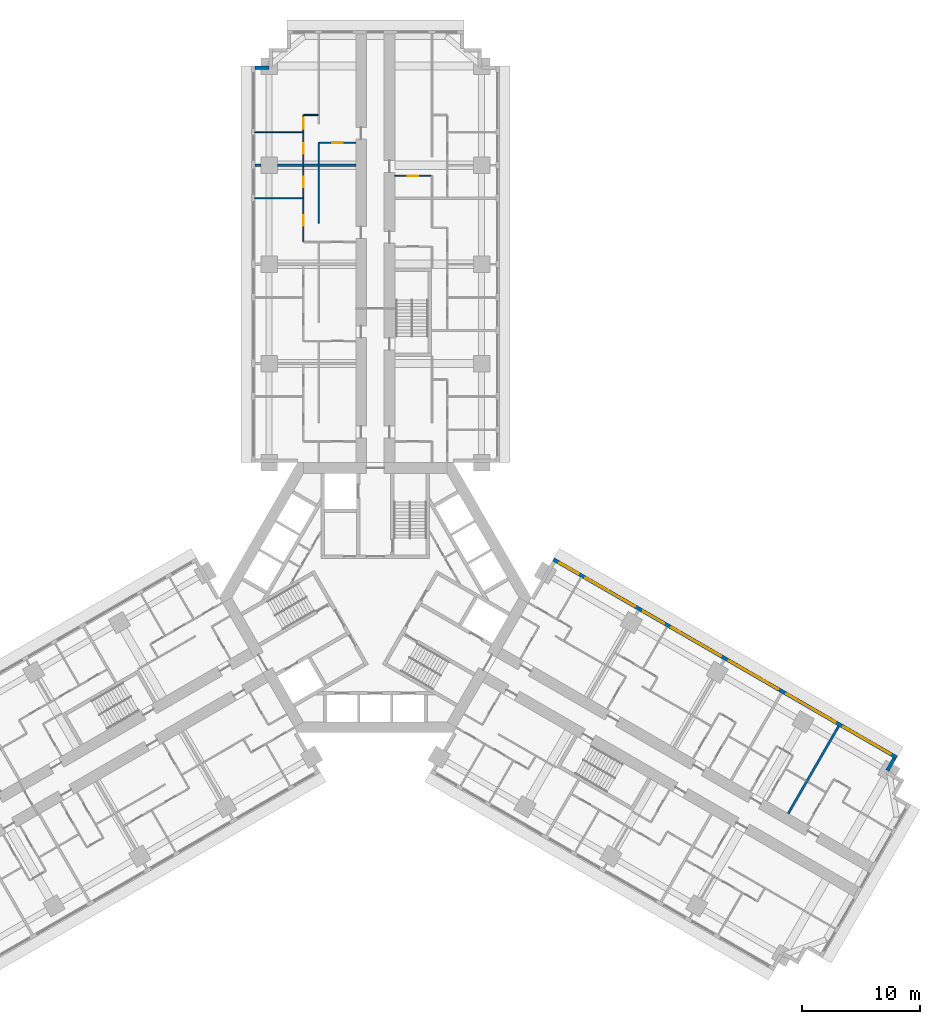
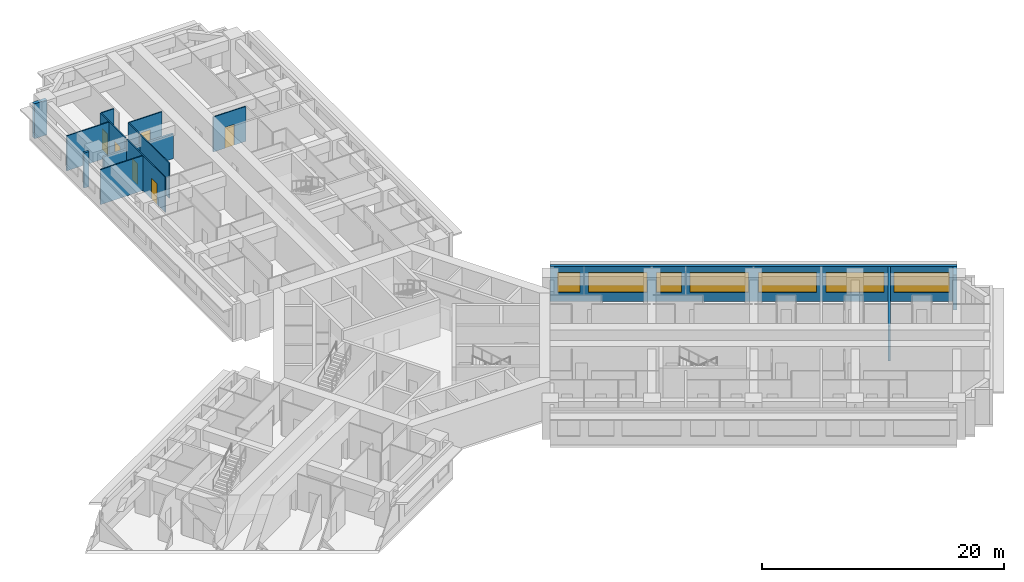
# One storey, part 13 of 16: 15 walls, 7 windows, 6 doors, 13 openings.
"""IFC4 building model written with IfcOpenShell, lengths in metres."""

from ifc_helpers import new_model, si_unit, direction, frame, frame_2d, origin, place, context, subcontext, project, spatial, rectangle, extrude, material, layer, layer_set, type_object, element, fill, save


model = new_model("IFC4")

# Units and contexts
model_context = context("Model", 3, precision=1e-05, world=origin(), true_north=direction((0.0, 1.0)))
body_context = subcontext(model_context, "Body", "Model", "MODEL_VIEW")
ifc_project = project(units=[si_unit("LENGTHUNIT", "METRE"), si_unit("AREAUNIT", "SQUARE_METRE"), si_unit("VOLUMEUNIT", "CUBIC_METRE"), si_unit("PLANEANGLEUNIT", "RADIAN"), si_unit("MASSUNIT", "GRAM", prefix="KILO")], contexts=[model_context])

# Site, building, storey
site_placement = place(None, origin())
site = spatial("IfcSite", under=ifc_project, at=site_placement, CompositionType="ELEMENT")
building_placement = place(site_placement, origin())
building = spatial("IfcBuilding", under=site, at=building_placement, Name="Impinga Residences", CompositionType="ELEMENT")
storey_placement = place(building_placement, frame((0.0, 0.0, 74.75)))
storey = spatial("IfcBuildingStorey", under=building, at=storey_placement, Name="L18", CompositionType="ELEMENT", Elevation=74.75)

# Wall
ifc_material_1 = material(Name="Terracotta rainscreen on blockwork", Category="masonry")
ifc_layer_1 = layer(ifc_material_1, 0.300048828125)
ifc_layer_set_1 = layer_set([ifc_layer_1], Name="EW1 external wall, terracotta rainscreen on blockwork 300")
wall_type_1 = type_object("IfcWallType", Name="EW1 external wall, terracotta rainscreen on blockwork 300", PredefinedType="SOLIDWALL", material=ifc_layer_set_1)
wall_1_placement = place(storey_placement, frame((-10.199951171875, 44.881591796875, 0.0), z_axis=(0.0, 0.0, 1.0), x_axis=(1.0, 0.0, 0.0)))
element("IfcWall", 1, at=wall_1_placement, inside=storey, type_object=wall_type_1, Name="External wall EW1 L18", PredefinedType="SOLIDWALL", context=body_context, shape_type="SweptSolid", body=[
    extrude(rectangle(XDim=1.199951171875, YDim=0.300048828125, at=frame_2d((0.60009765625, 0.0))), origin(), (0.0, 0.0, 1.0), 3.530029296875),
])

# Wall, openings, windows
wall_2_placement = place(storey_placement, frame((15.074951171875, 3.24755859375, 0.0), z_axis=(0.0, 0.0, 1.0), x_axis=(0.866024291668, -0.500001926238, 0.0)))
wall_2 = element("IfcWall", 2, at=wall_2_placement, inside=storey, type_object=wall_type_1, Name="External wall EW1 L18", PredefinedType="SOLIDWALL", context=body_context, shape_type="SweptSolid", body=[
    extrude(rectangle(XDim=33.599853515625, YDim=0.300048828125, at=frame_2d((16.7998046875, 0.0))), origin(), (0.0, 0.0, 1.0), 3.530029296875),
])
opening_1_placement = place(wall_2_placement, frame((0.60009765625, 0.0, 0.89990234375)))
opening_1 = element("IfcOpeningElement", 3, at=opening_1_placement, cuts=wall_2, Name="Opening W15", PredefinedType="OPENING", context=body_context, shape_type="SweptSolid", body=[
    extrude(rectangle(XDim=1.85009765625, YDim=2.050048828125, at=frame_2d((0.925048828125, 1.02490234375))), frame((0.0, 0.159912109375, 0.0), z_axis=(0.0, -1.0, 0.0), x_axis=(1.0, 0.0, 0.0)), (0.0, 0.0, 1.0), 0.320068359375),
])
opening_2_placement = place(wall_2_placement, frame((3.14990234375, 0.0, 0.89990234375)))
opening_2 = element("IfcOpeningElement", 4, at=opening_2_placement, cuts=wall_2, Name="Opening W6", PredefinedType="OPENING", context=body_context, shape_type="SweptSolid", body=[
    extrude(rectangle(XDim=4.85009765625, YDim=2.050048828125, at=frame_2d((2.425048828125, 1.02490234375))), frame((0.0, 0.159912109375, 0.0), z_axis=(0.0, -1.0, 0.0), x_axis=(1.0, 0.0, 0.0)), (0.0, 0.0, 1.0), 0.320068359375),
])
opening_3_placement = place(wall_2_placement, frame((8.800048828125, 0.0, 0.89990234375)))
opening_3 = element("IfcOpeningElement", 5, at=opening_3_placement, cuts=wall_2, Name="Opening W14", PredefinedType="OPENING", context=body_context, shape_type="SweptSolid", body=[
    extrude(rectangle(XDim=2.050048828125, YDim=2.050048828125, at=frame_2d((1.02490234375, 1.02490234375))), frame((0.0, 0.159912109375, 0.0), z_axis=(0.0, -1.0, 0.0), x_axis=(1.0, 0.0, 0.0)), (0.0, 0.0, 1.0), 0.320068359375),
])
opening_4_placement = place(wall_2_placement, frame((11.550048828125, 0.0, 0.89990234375)))
opening_4 = element("IfcOpeningElement", 6, at=opening_4_placement, cuts=wall_2, Name="Opening W6", PredefinedType="OPENING", context=body_context, shape_type="SweptSolid", body=[
    extrude(rectangle(XDim=4.85009765625, YDim=2.050048828125, at=frame_2d((2.425048828125, 1.02490234375))), frame((0.0, 0.159912109375, 0.0), z_axis=(0.0, -1.0, 0.0), x_axis=(1.0, 0.0, 0.0)), (0.0, 0.0, 1.0), 0.320068359375),
])
opening_5_placement = place(wall_2_placement, frame((17.199951171875, 0.0, 0.89990234375)))
opening_5 = element("IfcOpeningElement", 7, at=opening_5_placement, cuts=wall_2, Name="Opening W8", PredefinedType="OPENING", context=body_context, shape_type="SweptSolid", body=[
    extrude(rectangle(XDim=4.800048828125, YDim=2.050048828125, at=frame_2d((2.39990234375, 1.02490234375))), frame((0.0, 0.159912109375, 0.0), z_axis=(0.0, -1.0, 0.0), x_axis=(1.0, 0.0, 0.0)), (0.0, 0.0, 1.0), 0.320068359375),
])
opening_6_placement = place(wall_2_placement, frame((22.800048828125, 0.0, 0.89990234375)))
opening_6 = element("IfcOpeningElement", 8, at=opening_6_placement, cuts=wall_2, Name="Opening W8", PredefinedType="OPENING", context=body_context, shape_type="SweptSolid", body=[
    extrude(rectangle(XDim=4.800048828125, YDim=2.050048828125, at=frame_2d((2.39990234375, 1.02490234375))), frame((0.0, 0.159912109375, 0.0), z_axis=(0.0, -1.0, 0.0), x_axis=(1.0, 0.0, 0.0)), (0.0, 0.0, 1.0), 0.320068359375),
])
opening_7_placement = place(wall_2_placement, frame((28.39990234375, 0.0, 0.89990234375)))
opening_7 = element("IfcOpeningElement", 9, at=opening_7_placement, cuts=wall_2, Name="Opening W3", PredefinedType="OPENING", context=body_context, shape_type="SweptSolid", body=[
    extrude(rectangle(XDim=4.60009765625, YDim=2.050048828125, at=frame_2d((2.300048828125, 1.02490234375))), frame((0.0, 0.159912109375, 0.0), z_axis=(0.0, -1.0, 0.0), x_axis=(1.0, 0.0, 0.0)), (0.0, 0.0, 1.0), 0.320068359375),
])
ifc_material_2 = material(Name="Aluminium window, clear double glazing", Category="aluminium")
window_type_1 = type_object("IfcWindowType", Name="W14 ribbon window 2050x2050", PartitioningType="SINGLE_PANEL", PredefinedType="WINDOW", material=ifc_material_2)
window_1_placement = place(opening_3_placement, origin())
window_1 = element("IfcWindow", 10, at=window_1_placement, inside=storey, type_object=window_type_1, Name="Window L18", OverallHeight=2.050048828125, OverallWidth=2.050048828125, PartitioningType="SINGLE_PANEL", PredefinedType="WINDOW", context=body_context, shape_type="SweptSolid", body=[
    extrude(rectangle(XDim=2.050048828125, YDim=2.050048828125, at=frame_2d((1.02490234375, 1.02490234375))), frame((0.0, 0.030029296875, 0.0), z_axis=(0.0, -1.0, 0.0), x_axis=(1.0, 0.0, 0.0)), (0.0, 0.0, 1.0), 0.06005859375),
])
fill(opening_3, window_1)
window_type_2 = type_object("IfcWindowType", Name="W15 ribbon window 1850x2050", PartitioningType="SINGLE_PANEL", PredefinedType="WINDOW", material=ifc_material_2)
window_2_placement = place(opening_1_placement, origin())
window_2 = element("IfcWindow", 11, at=window_2_placement, inside=storey, type_object=window_type_2, Name="Window L18", OverallHeight=2.050048828125, OverallWidth=1.85009765625, PartitioningType="SINGLE_PANEL", PredefinedType="WINDOW", context=body_context, shape_type="SweptSolid", body=[
    extrude(rectangle(XDim=1.85009765625, YDim=2.050048828125, at=frame_2d((0.925048828125, 1.02490234375))), frame((0.0, 0.030029296875, 0.0), z_axis=(0.0, -1.0, 0.0), x_axis=(1.0, 0.0, 0.0)), (0.0, 0.0, 1.0), 0.06005859375),
])
fill(opening_1, window_2)
window_type_3 = type_object("IfcWindowType", Name="W3 ribbon window 4600x2050", PartitioningType="SINGLE_PANEL", PredefinedType="WINDOW", material=ifc_material_2)
window_3_placement = place(opening_7_placement, origin())
window_3 = element("IfcWindow", 12, at=window_3_placement, inside=storey, type_object=window_type_3, Name="Window L18", OverallHeight=2.050048828125, OverallWidth=4.60009765625, PartitioningType="SINGLE_PANEL", PredefinedType="WINDOW", context=body_context, shape_type="SweptSolid", body=[
    extrude(rectangle(XDim=4.60009765625, YDim=2.050048828125, at=frame_2d((2.300048828125, 1.02490234375))), frame((0.0, 0.030029296875, 0.0), z_axis=(0.0, -1.0, 0.0), x_axis=(1.0, 0.0, 0.0)), (0.0, 0.0, 1.0), 0.06005859375),
])
fill(opening_7, window_3)
window_type_4 = type_object("IfcWindowType", Name="W6 ribbon window 4850x2050", PartitioningType="SINGLE_PANEL", PredefinedType="WINDOW", material=ifc_material_2)
window_4_placement = place(opening_2_placement, origin())
window_4 = element("IfcWindow", 13, at=window_4_placement, inside=storey, type_object=window_type_4, Name="Window L18", OverallHeight=2.050048828125, OverallWidth=4.85009765625, PartitioningType="SINGLE_PANEL", PredefinedType="WINDOW", context=body_context, shape_type="SweptSolid", body=[
    extrude(rectangle(XDim=4.85009765625, YDim=2.050048828125, at=frame_2d((2.425048828125, 1.02490234375))), frame((0.0, 0.030029296875, 0.0), z_axis=(0.0, -1.0, 0.0), x_axis=(1.0, 0.0, 0.0)), (0.0, 0.0, 1.0), 0.06005859375),
])
fill(opening_2, window_4)
window_5_placement = place(opening_4_placement, origin())
window_5 = element("IfcWindow", 14, at=window_5_placement, inside=storey, type_object=window_type_4, Name="Window L18", OverallHeight=2.050048828125, OverallWidth=4.85009765625, PartitioningType="SINGLE_PANEL", PredefinedType="WINDOW", context=body_context, shape_type="SweptSolid", body=[
    extrude(rectangle(XDim=4.85009765625, YDim=2.050048828125, at=frame_2d((2.425048828125, 1.02490234375))), frame((0.0, 0.030029296875, 0.0), z_axis=(0.0, -1.0, 0.0), x_axis=(1.0, 0.0, 0.0)), (0.0, 0.0, 1.0), 0.06005859375),
])
fill(opening_4, window_5)
window_type_5 = type_object("IfcWindowType", Name="W8 ribbon window 4800x2050", PartitioningType="SINGLE_PANEL", PredefinedType="WINDOW", material=ifc_material_2)
window_6_placement = place(opening_5_placement, origin())
window_6 = element("IfcWindow", 15, at=window_6_placement, inside=storey, type_object=window_type_5, Name="Window L18", OverallHeight=2.050048828125, OverallWidth=4.800048828125, PartitioningType="SINGLE_PANEL", PredefinedType="WINDOW", context=body_context, shape_type="SweptSolid", body=[
    extrude(rectangle(XDim=4.800048828125, YDim=2.050048828125, at=frame_2d((2.39990234375, 1.02490234375))), frame((0.0, 0.030029296875, 0.0), z_axis=(0.0, -1.0, 0.0), x_axis=(1.0, 0.0, 0.0)), (0.0, 0.0, 1.0), 0.06005859375),
])
fill(opening_5, window_6)
window_7_placement = place(opening_6_placement, origin())
window_7 = element("IfcWindow", 16, at=window_7_placement, inside=storey, type_object=window_type_5, Name="Window L18", OverallHeight=2.050048828125, OverallWidth=4.800048828125, PartitioningType="SINGLE_PANEL", PredefinedType="WINDOW", context=body_context, shape_type="SweptSolid", body=[
    extrude(rectangle(XDim=4.800048828125, YDim=2.050048828125, at=frame_2d((2.39990234375, 1.02490234375))), frame((0.0, 0.030029296875, 0.0), z_axis=(0.0, -1.0, 0.0), x_axis=(1.0, 0.0, 0.0)), (0.0, 0.0, 1.0), 0.06005859375),
])
fill(opening_6, window_7)

# Walls
wall_3_placement = place(storey_placement, frame((43.968505859375, -13.607421875, 0.0), z_axis=(0.0, 0.0, 1.0), x_axis=(-0.500029051137, -0.866008630453, 0.0)))
element("IfcWall", 17, at=wall_3_placement, inside=storey, type_object=wall_type_1, Name="External wall EW1 L18", PredefinedType="SOLIDWALL", context=body_context, shape_type="SweptSolid", body=[
    extrude(rectangle(XDim=1.19482421875, YDim=0.300048828125, at=frame_2d((0.597412109375, 0.0))), origin(), (0.0, 0.0, 1.0), 3.530029296875),
])
ifc_material_3 = material(Name="Gypsum board on steel studs", Category="steel")
ifc_layer_2 = layer(ifc_material_3, 0.10009765625)
ifc_layer_set_2 = layer_set([ifc_layer_2], Name="Gypsum board on steel studs")
wall_type_2 = type_object("IfcWallType", Name="IP1 partition 100", PredefinedType="PARTITIONING", material=ifc_layer_set_2)
wall_4_placement = place(storey_placement, frame((-4.800048828125, 31.7314453125, 0.0), z_axis=(0.0, 0.0, 1.0), x_axis=(0.0, 1.0, 0.0)))
element("IfcWall", 18, at=wall_4_placement, inside=storey, type_object=wall_type_2, Name="Partition L18-NA3:DIV1", PredefinedType="PARTITIONING", context=body_context, shape_type="SweptSolid", body=[
    extrude(rectangle(XDim=4.800048828125, YDim=0.10009765625, at=frame_2d((2.39990234375, 0.0))), origin(), (0.0, 0.0, 1.0), 3.530029296875),
])

# Wall, openings, doors
wall_5_placement = place(storey_placement, frame((-6.10009765625, 30.131591796875, 0.0), z_axis=(0.0, 0.0, 1.0), x_axis=(0.0, 1.0, 0.0)))
wall_5 = element("IfcWall", 19, at=wall_5_placement, inside=storey, type_object=wall_type_2, Name="Partition L18-NA3:STRIP", PredefinedType="PARTITIONING", context=body_context, shape_type="SweptSolid", body=[
    extrude(rectangle(XDim=6.39990234375, YDim=0.10009765625, at=frame_2d((3.199951171875, 0.0))), origin(), (0.0, 0.0, 1.0), 3.530029296875),
])
opening_8_placement = place(wall_5_placement, frame((1.375, 0.0, 0.0)))
opening_8 = element("IfcOpeningElement", 20, at=opening_8_placement, cuts=wall_5, Name="Opening D2", PredefinedType="OPENING", context=body_context, shape_type="SweptSolid", body=[
    extrude(rectangle(XDim=0.89990234375, YDim=2.10009765625, at=frame_2d((0.449951171875, 1.050048828125))), frame((0.0, 0.06005859375, 0.0), z_axis=(0.0, -1.0, 0.0), x_axis=(1.0, 0.0, 0.0)), (0.0, 0.0, 1.0), 0.1201171875),
])
opening_9_placement = place(wall_5_placement, frame((4.625, 0.0, 0.0)))
opening_9 = element("IfcOpeningElement", 21, at=opening_9_placement, cuts=wall_5, Name="Opening D2", PredefinedType="OPENING", context=body_context, shape_type="SweptSolid", body=[
    extrude(rectangle(XDim=0.89990234375, YDim=2.10009765625, at=frame_2d((0.449951171875, 1.050048828125))), frame((0.0, 0.06005859375, 0.0), z_axis=(0.0, -1.0, 0.0), x_axis=(1.0, 0.0, 0.0)), (0.0, 0.0, 1.0), 0.1201171875),
])
ifc_material_4 = material(Name="Timber door set", Category="wood")
door_type = type_object("IfcDoorType", Name="D2 internal door 900x2100", OperationType="SINGLE_SWING_LEFT", PredefinedType="DOOR", material=ifc_material_4)
door_1_placement = place(opening_8_placement, origin())
door_1 = element("IfcDoor", 22, at=door_1_placement, inside=storey, type_object=door_type, Name="Apartment L18-NA3 room door", OperationType="SINGLE_SWING_LEFT", OverallHeight=2.10009765625, OverallWidth=0.89990234375, PredefinedType="DOOR", context=body_context, shape_type="SweptSolid", body=[
    extrude(rectangle(XDim=0.89990234375, YDim=2.10009765625, at=frame_2d((0.449951171875, 1.050048828125))), frame((0.0, 0.02490234375, 0.0), z_axis=(0.0, -1.0, 0.0), x_axis=(1.0, 0.0, 0.0)), (0.0, 0.0, 1.0), 0.050048828125),
])
fill(opening_8, door_1)
door_2_placement = place(opening_9_placement, origin())
door_2 = element("IfcDoor", 23, at=door_2_placement, inside=storey, type_object=door_type, Name="Apartment L18-NA3 room door", OperationType="SINGLE_SWING_RIGHT", OverallHeight=2.10009765625, OverallWidth=0.89990234375, PredefinedType="DOOR", context=body_context, shape_type="SweptSolid", body=[
    extrude(rectangle(XDim=0.89990234375, YDim=2.10009765625, at=frame_2d((0.449951171875, 1.050048828125))), frame((0.0, 0.02490234375, 0.0), z_axis=(0.0, -1.0, 0.0), x_axis=(1.0, 0.0, 0.0)), (0.0, 0.0, 1.0), 0.050048828125),
])
fill(opening_9, door_2)

# Walls
wall_6_placement = place(storey_placement, frame((-6.14990234375, 33.83154296875, 0.0), z_axis=(0.0, 0.0, 1.0), x_axis=(-1.0, 0.0, 0.0)))
element("IfcWall", 24, at=wall_6_placement, inside=storey, type_object=wall_type_2, Name="Partition L18-NA3:OB1", PredefinedType="PARTITIONING", context=body_context, shape_type="SweptSolid", body=[
    extrude(rectangle(XDim=4.050048828125, YDim=0.10009765625, at=frame_2d((2.02490234375, 0.0))), origin(), (0.0, 0.0, 1.0), 3.530029296875),
])
wall_7_placement = place(storey_placement, frame((-4.800048828125, 36.7314453125, 0.0), z_axis=(0.0, 0.0, 1.0), x_axis=(0.0, 1.0, 0.0)))
element("IfcWall", 25, at=wall_7_placement, inside=storey, type_object=wall_type_2, Name="Partition L18-NA4:DIV0", PredefinedType="PARTITIONING", context=body_context, shape_type="SweptSolid", body=[
    extrude(rectangle(XDim=1.800048828125, YDim=0.10009765625, at=frame_2d((0.89990234375, 0.0))), origin(), (0.0, 0.0, 1.0), 3.530029296875),
])

# Wall, openings, doors
wall_8_placement = place(storey_placement, frame((-6.10009765625, 36.7314453125, 0.0), z_axis=(0.0, 0.0, 1.0), x_axis=(0.0, 1.0, 0.0)))
wall_8 = element("IfcWall", 26, at=wall_8_placement, inside=storey, type_object=wall_type_2, Name="Partition L18-NA4:STRIP", PredefinedType="PARTITIONING", context=body_context, shape_type="SweptSolid", body=[
    extrude(rectangle(XDim=4.150146484375, YDim=0.10009765625, at=frame_2d((2.0751953125, 0.0))), origin(), (0.0, 0.0, 1.0), 3.530029296875),
])
opening_10_placement = place(wall_8_placement, frame((0.875, 0.0, 0.0)))
opening_10 = element("IfcOpeningElement", 27, at=opening_10_placement, cuts=wall_8, Name="Opening D2", PredefinedType="OPENING", context=body_context, shape_type="SweptSolid", body=[
    extrude(rectangle(XDim=0.89990234375, YDim=2.10009765625, at=frame_2d((0.449951171875, 1.050048828125))), frame((0.0, 0.06005859375, 0.0), z_axis=(0.0, -1.0, 0.0), x_axis=(1.0, 0.0, 0.0)), (0.0, 0.0, 1.0), 0.1201171875),
])
opening_11_placement = place(wall_8_placement, frame((3.0, 0.0, 0.0)))
opening_11 = element("IfcOpeningElement", 28, at=opening_11_placement, cuts=wall_8, Name="Opening D2", PredefinedType="OPENING", context=body_context, shape_type="SweptSolid", body=[
    extrude(rectangle(XDim=0.89990234375, YDim=2.10009765625, at=frame_2d((0.449951171875, 1.050048828125))), frame((0.0, 0.06005859375, 0.0), z_axis=(0.0, -1.0, 0.0), x_axis=(1.0, 0.0, 0.0)), (0.0, 0.0, 1.0), 0.1201171875),
])
door_3_placement = place(opening_10_placement, origin())
door_3 = element("IfcDoor", 29, at=door_3_placement, inside=storey, type_object=door_type, Name="Apartment L18-NA4 room door", OperationType="SINGLE_SWING_LEFT", OverallHeight=2.10009765625, OverallWidth=0.89990234375, PredefinedType="DOOR", context=body_context, shape_type="SweptSolid", body=[
    extrude(rectangle(XDim=0.89990234375, YDim=2.10009765625, at=frame_2d((0.449951171875, 1.050048828125))), frame((0.0, 0.02490234375, 0.0), z_axis=(0.0, -1.0, 0.0), x_axis=(1.0, 0.0, 0.0)), (0.0, 0.0, 1.0), 0.050048828125),
])
fill(opening_10, door_3)
door_4_placement = place(opening_11_placement, origin())
door_4 = element("IfcDoor", 30, at=door_4_placement, inside=storey, type_object=door_type, Name="Apartment L18-NA4 room door", OperationType="SINGLE_SWING_RIGHT", OverallHeight=2.10009765625, OverallWidth=0.89990234375, PredefinedType="DOOR", context=body_context, shape_type="SweptSolid", body=[
    extrude(rectangle(XDim=0.89990234375, YDim=2.10009765625, at=frame_2d((0.449951171875, 1.050048828125))), frame((0.0, 0.02490234375, 0.0), z_axis=(0.0, -1.0, 0.0), x_axis=(1.0, 0.0, 0.0)), (0.0, 0.0, 1.0), 0.050048828125),
])
fill(opening_11, door_4)

# Wall
wall_9_placement = place(storey_placement, frame((-4.85009765625, 40.881591796875, 0.0), z_axis=(0.0, 0.0, 1.0), x_axis=(-1.0, 0.0, 0.0)))
element("IfcWall", 31, at=wall_9_placement, inside=storey, type_object=wall_type_2, Name="Partition L18-NA4:SE1", PredefinedType="PARTITIONING", context=body_context, shape_type="SweptSolid", body=[
    extrude(rectangle(XDim=1.199951171875, YDim=0.10009765625, at=frame_2d((0.60009765625, 0.0))), origin(), (0.0, 0.0, 1.0), 3.530029296875),
])

# Wall, opening, door
wall_10_placement = place(storey_placement, frame((-1.64990234375, 38.531494140625, 0.0), z_axis=(0.0, 0.0, 1.0), x_axis=(-1.0, 0.0, 0.0)))
wall_10 = element("IfcWall", 32, at=wall_10_placement, inside=storey, type_object=wall_type_2, Name="Partition L18-NA4:IB1", PredefinedType="PARTITIONING", context=body_context, shape_type="SweptSolid", body=[
    extrude(rectangle(XDim=3.10009765625, YDim=0.10009765625, at=frame_2d((1.550048828125, 0.0))), origin(), (0.0, 0.0, 1.0), 3.530029296875),
])
opening_12_placement = place(wall_10_placement, frame((1.10009765625, 0.0, 0.0)))
opening_12 = element("IfcOpeningElement", 33, at=opening_12_placement, cuts=wall_10, Name="Opening D2", PredefinedType="OPENING", context=body_context, shape_type="SweptSolid", body=[
    extrude(rectangle(XDim=0.89990234375, YDim=2.10009765625, at=frame_2d((0.449951171875, 1.050048828125))), frame((0.0, 0.06005859375, 0.0), z_axis=(0.0, -1.0, 0.0), x_axis=(1.0, 0.0, 0.0)), (0.0, 0.0, 1.0), 0.1201171875),
])
door_5_placement = place(opening_12_placement, origin())
door_5 = element("IfcDoor", 34, at=door_5_placement, inside=storey, type_object=door_type, Name="Apartment L18-NA4 bathroom door", OperationType="SINGLE_SWING_LEFT", OverallHeight=2.10009765625, OverallWidth=0.89990234375, PredefinedType="DOOR", context=body_context, shape_type="SweptSolid", body=[
    extrude(rectangle(XDim=0.89990234375, YDim=2.10009765625, at=frame_2d((0.449951171875, 1.050048828125))), frame((0.0, 0.02490234375, 0.0), z_axis=(0.0, -1.0, 0.0), x_axis=(1.0, 0.0, 0.0)), (0.0, 0.0, 1.0), 0.050048828125),
])
fill(opening_12, door_5)

# Wall
wall_11_placement = place(storey_placement, frame((-6.14990234375, 39.431640625, 0.0), z_axis=(0.0, 0.0, 1.0), x_axis=(-1.0, 0.0, 0.0)))
element("IfcWall", 35, at=wall_11_placement, inside=storey, type_object=wall_type_2, Name="Partition L18-NA4:OB1", PredefinedType="PARTITIONING", context=body_context, shape_type="SweptSolid", body=[
    extrude(rectangle(XDim=4.050048828125, YDim=0.10009765625, at=frame_2d((2.02490234375, 0.0))), origin(), (0.0, 0.0, 1.0), 3.530029296875),
])

# Wall, opening, door
wall_12_placement = place(storey_placement, frame((1.64990234375, 35.7314453125, 0.0), z_axis=(0.0, 0.0, 1.0), x_axis=(1.0, 0.0, 0.0)))
wall_12 = element("IfcWall", 36, at=wall_12_placement, inside=storey, type_object=wall_type_2, Name="Partition L18-NF3:IB1", PredefinedType="PARTITIONING", context=body_context, shape_type="SweptSolid", body=[
    extrude(rectangle(XDim=3.10009765625, YDim=0.10009765625, at=frame_2d((1.550048828125, 0.0))), origin(), (0.0, 0.0, 1.0), 3.530029296875),
])
opening_13_placement = place(wall_12_placement, frame((1.10009765625, 0.0, 0.0)))
opening_13 = element("IfcOpeningElement", 37, at=opening_13_placement, cuts=wall_12, Name="Opening D2", PredefinedType="OPENING", context=body_context, shape_type="SweptSolid", body=[
    extrude(rectangle(XDim=0.89990234375, YDim=2.10009765625, at=frame_2d((0.449951171875, 1.050048828125))), frame((0.0, 0.06005859375, 0.0), z_axis=(0.0, -1.0, 0.0), x_axis=(1.0, 0.0, 0.0)), (0.0, 0.0, 1.0), 0.1201171875),
])
door_6_placement = place(opening_13_placement, origin())
door_6 = element("IfcDoor", 38, at=door_6_placement, inside=storey, type_object=door_type, Name="Apartment L18-NF3 bathroom door", OperationType="SINGLE_SWING_LEFT", OverallHeight=2.10009765625, OverallWidth=0.89990234375, PredefinedType="DOOR", context=body_context, shape_type="SweptSolid", body=[
    extrude(rectangle(XDim=0.89990234375, YDim=2.10009765625, at=frame_2d((0.449951171875, 1.050048828125))), frame((0.0, 0.02490234375, 0.0), z_axis=(0.0, -1.0, 0.0), x_axis=(1.0, 0.0, 0.0)), (0.0, 0.0, 1.0), 0.050048828125),
])
fill(opening_13, door_6)

# Walls
ifc_material_5 = material(Name="Concrete blockwork", Category="masonry")
ifc_layer_3 = layer(ifc_material_5, 0.199951171875)
ifc_layer_set_3 = layer_set([ifc_layer_3], Name="PW1 party wall between apartments 200")
wall_type_3 = type_object("IfcWallType", Name="PW1 party wall between apartments 200", PredefinedType="SOLIDWALL", material=ifc_layer_set_3)
wall_13_placement = place(storey_placement, frame((-1.64990234375, 36.631591796875, 0.0), z_axis=(0.0, 0.0, 1.0), x_axis=(-1.0, 0.0, 0.0)))
element("IfcWall", 39, at=wall_13_placement, inside=storey, type_object=wall_type_3, Name="Party wall between apartments L18-NA3:PARTY", PredefinedType="SOLIDWALL", context=body_context, shape_type="SweptSolid", body=[
    extrude(rectangle(XDim=6.650146484375, YDim=0.199951171875, at=frame_2d((3.3251953125, 0.0))), origin(), (0.0, 0.0, 1.0), 2.47998046875),
])
wall_14_placement = place(storey_placement, frame((-9.699951171875, 36.631591796875, 0.0), z_axis=(0.0, 0.0, 1.0), x_axis=(-1.0, 0.0, 0.0)))
element("IfcWall", 40, at=wall_14_placement, inside=storey, type_object=wall_type_3, Name="Party wall between apartments L18-NA3:PARTYb", PredefinedType="SOLIDWALL", context=body_context, shape_type="SweptSolid", body=[
    extrude(rectangle(XDim=0.5, YDim=0.199951171875, at=frame_2d((0.25, 0.0))), origin(), (0.0, 0.0, 1.0), 3.530029296875),
])
wall_15_placement = place(storey_placement, frame((34.9736328125, -18.286865234375, 0.0), z_axis=(0.0, 0.0, 1.0), x_axis=(0.500011643316, 0.866018681408, 0.0)))
element("IfcWall", 41, at=wall_15_placement, inside=storey, type_object=wall_type_3, Name="Party wall between apartments L18-EA4:PARTY", PredefinedType="SOLIDWALL", context=body_context, shape_type="SweptSolid", body=[
    extrude(rectangle(XDim=8.550048828125, YDim=0.199951171875, at=frame_2d((4.27490234375, 0.0))), origin(), (0.0, 0.0, 1.0), 3.530029296875),
])

save(model, "model.ifc")
